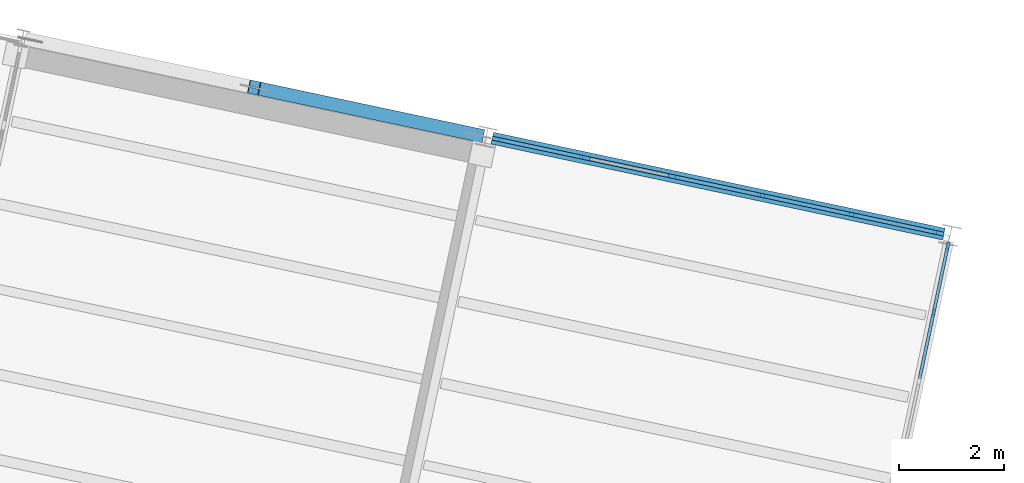
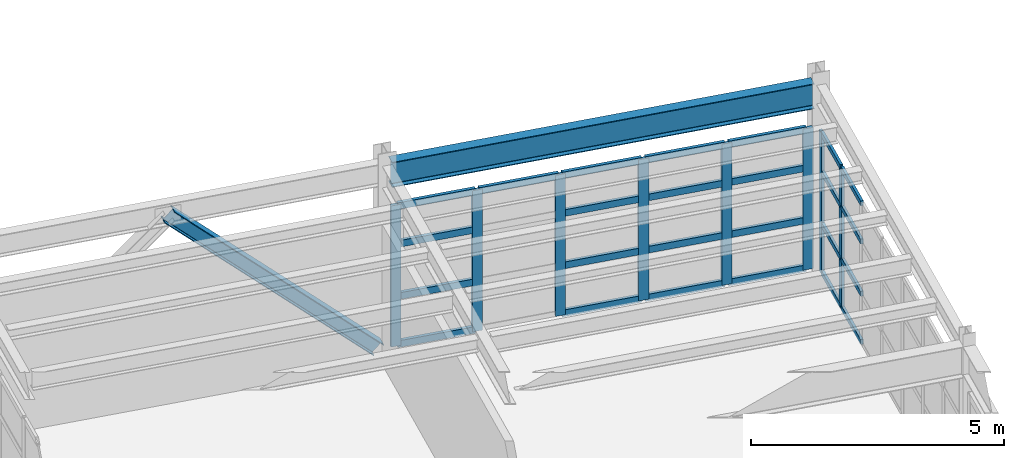
# One storey, part 57 of 109: 34 members, 1 beam, 2 elements without a shape of their own.
"""IFC4 building model written with IfcOpenShell, lengths in metres."""

from ifc_helpers import new_model, si_unit, direction, frame, origin, origin_2d, place, context, subcontext, project, spatial, rectangle, i_section, extrude, material, layer, layer_set, material_profile, profile_set, type_object, element, aggregate, save


model = new_model("IFC4")

# Units and contexts
model_context = context("Model", 3, precision=1e-05, world=origin(), true_north=direction((0.0, 1.0)))
body_context = subcontext(model_context, "Body", "Model", "MODEL_VIEW")
ifc_project = project(units=[si_unit("LENGTHUNIT", "METRE"), si_unit("AREAUNIT", "SQUARE_METRE"), si_unit("VOLUMEUNIT", "CUBIC_METRE"), si_unit("PLANEANGLEUNIT", "RADIAN"), si_unit("MASSUNIT", "GRAM", prefix="KILO")], contexts=[model_context])

# Site, building, storey
site_placement = place(None, origin())
site = spatial("IfcSite", under=ifc_project, at=site_placement, CompositionType="ELEMENT")
building_placement = place(site_placement, origin())
building = spatial("IfcBuilding", under=site, at=building_placement, Name="Vireo Bluff Cable Station", CompositionType="ELEMENT")
storey_placement = place(building_placement, frame((0.0, 0.0, 4.800048828125)))
storey = spatial("IfcBuildingStorey", under=building, at=storey_placement, Name="L01", CompositionType="ELEMENT", Elevation=4.800048828125)

# Member
ifc_material_1 = material(Name="Steel ASTM A992 Gr. 50", Category="steel")
ifc_material_profile_1 = material_profile(ifc_material_1, i_section(OverallWidth=0.25390625, OverallDepth=0.31005859375, WebThickness=0.009033203125, FlangeThickness=0.016357421875, FilletRadius=0.010986328125, at=origin_2d()), Name="W12X58")
ifc_profile_set_1 = profile_set([ifc_material_profile_1], Name="Steel ASTM A992 Gr. 50")
member_type_1 = type_object("IfcMemberType", Name="BRC-05", PredefinedType="BRACE", material=ifc_profile_set_1)
member_1_placement = place(storey_placement, frame((151.400390625, 24.875732421875, 0.0400390625), z_axis=(-0.707775608155, 0.150445056806, 0.690231825827), x_axis=(-0.207915270313, -0.978146839882, 0.0)))
element("IfcMember", 1, at=member_1_placement, inside=storey, type_object=member_type_1, Name="V5E L01 concentric brace 106R", PredefinedType="BRACE", context=body_context, shape_type="SweptSolid", body=[
    extrude(i_section(OverallWidth=0.25390625, OverallDepth=0.31005859375, WebThickness=0.009033203125, FlangeThickness=0.016357421875, FilletRadius=0.010986328125, at=origin_2d()), origin(), (0.0, 0.0, 1.0), 5.997802734375),
])

# Curtain wall, members
ifc_material_2 = material(Name="Anodized Aluminium 6063-T6", Category="aluminium")
ifc_layer_1 = layer(ifc_material_2, 0.179931640625, Name="Anodized Aluminium 6063-T6")
ifc_layer_set_1 = layer_set([ifc_layer_1], Name="Anodized Aluminium 6063-T6")
curtain_wall_type_1 = type_object("IfcCurtainWallType", Name="CW-UNIT-1650", PredefinedType="USERDEFINED", material=ifc_layer_set_1)
curtain_wall_1_placement = place(storey_placement, origin())
curtain_wall_1 = element("IfcCurtainWall", 2, at=curtain_wall_1_placement, inside=storey, type_object=curtain_wall_type_1, Name="V5E L01 north curtain wall CW-137", ObjectType="UNITISED CURTAIN WALL", PredefinedType="USERDEFINED")
ifc_material_profile_2 = material_profile(ifc_material_2, rectangle(XDim=0.074951171875, YDim=0.2099609375, at=origin_2d()), Name="ALU-M-75X210")
ifc_profile_set_2 = profile_set([ifc_material_profile_2], Name="Anodized Aluminium 6063-T6")
member_type_2 = type_object("IfcMemberType", Name="CWM-02", PredefinedType="MULLION", material=ifc_profile_set_2)
member_2_placement = place(storey_placement, frame((151.776611328125, 24.795654296875, 0.0), z_axis=(0.0, 0.0, 1.0), x_axis=(0.207911668454, 0.978147605487, 0.0)))
member_2 = element("IfcMember", 3, at=member_2_placement, type_object=member_type_2, Name="CW-137 mullion 1", PredefinedType="MULLION", context=body_context, shape_type="SweptSolid", body=[
    extrude(rectangle(XDim=0.074951171875, YDim=0.2099609375, at=origin_2d()), origin(), (0.0, 0.0, 1.0), 3.39990234375),
])
member_3_placement = place(storey_placement, frame((153.427490234375, 24.44482421875, 0.0), z_axis=(0.0, 0.0, 1.0), x_axis=(0.207911668454, 0.978147605487, 0.0)))
member_3 = element("IfcMember", 4, at=member_3_placement, type_object=member_type_2, Name="CW-137 mullion 2", PredefinedType="MULLION", context=body_context, shape_type="SweptSolid", body=[
    extrude(rectangle(XDim=0.074951171875, YDim=0.2099609375, at=origin_2d()), origin(), (0.0, 0.0, 1.0), 3.39990234375),
])
member_4_placement = place(storey_placement, frame((155.114990234375, 24.086181640625, 0.0), z_axis=(0.0, 0.0, 1.0), x_axis=(0.207911668454, 0.978147605487, 0.0)))
member_4 = element("IfcMember", 5, at=member_4_placement, type_object=member_type_2, Name="CW-137 mullion 3", PredefinedType="MULLION", context=body_context, shape_type="SweptSolid", body=[
    extrude(rectangle(XDim=0.074951171875, YDim=0.2099609375, at=origin_2d()), origin(), (0.0, 0.0, 1.0), 3.39990234375),
])
member_5_placement = place(storey_placement, frame((156.802490234375, 23.7275390625, 0.0), z_axis=(0.0, 0.0, 1.0), x_axis=(0.207911668454, 0.978147605487, 0.0)))
member_5 = element("IfcMember", 6, at=member_5_placement, type_object=member_type_2, Name="CW-137 mullion 4", PredefinedType="MULLION", context=body_context, shape_type="SweptSolid", body=[
    extrude(rectangle(XDim=0.074951171875, YDim=0.2099609375, at=origin_2d()), origin(), (0.0, 0.0, 1.0), 3.39990234375),
])
member_6_placement = place(storey_placement, frame((158.489990234375, 23.36865234375, 0.0), z_axis=(0.0, 0.0, 1.0), x_axis=(0.207911668454, 0.978147605487, 0.0)))
member_6 = element("IfcMember", 7, at=member_6_placement, type_object=member_type_2, Name="CW-137 mullion 5", PredefinedType="MULLION", context=body_context, shape_type="SweptSolid", body=[
    extrude(rectangle(XDim=0.074951171875, YDim=0.2099609375, at=origin_2d()), origin(), (0.0, 0.0, 1.0), 3.39990234375),
])
member_7_placement = place(storey_placement, frame((160.140625, 23.017822265625, 0.0), z_axis=(0.0, 0.0, 1.0), x_axis=(0.207911668454, 0.978147605487, 0.0)))
member_7 = element("IfcMember", 8, at=member_7_placement, type_object=member_type_2, Name="CW-137 mullion 6", PredefinedType="MULLION", context=body_context, shape_type="SweptSolid", body=[
    extrude(rectangle(XDim=0.074951171875, YDim=0.2099609375, at=origin_2d()), origin(), (0.0, 0.0, 1.0), 3.39990234375),
])

ifc_layer_2 = layer(ifc_material_2, 0.179931640625, Name="Anodized Aluminium 6063-T6")
ifc_layer_set_2 = layer_set([ifc_layer_2], Name="Anodized Aluminium 6063-T6")
curtain_wall_type_2 = type_object("IfcCurtainWallType", Name="CW-UNIT-1400", PredefinedType="USERDEFINED", material=ifc_layer_set_2)
curtain_wall_2_placement = place(storey_placement, origin())
curtain_wall_2 = element("IfcCurtainWall", 9, at=curtain_wall_2_placement, inside=storey, type_object=curtain_wall_type_2, Name="V5E L01 east curtain wall CW-138", ObjectType="UNITISED CURTAIN WALL", PredefinedType="USERDEFINED")
ifc_material_profile_3 = material_profile(ifc_material_2, rectangle(XDim=0.06005859375, YDim=0.159912109375, at=origin_2d()), Name="ALU-M-60X160")
ifc_profile_set_3 = profile_set([ifc_material_profile_3], Name="Anodized Aluminium 6063-T6")
member_type_3 = type_object("IfcMemberType", Name="CWM-03", PredefinedType="MULLION", material=ifc_profile_set_3)
member_8_placement = place(storey_placement, frame((160.316162109375, 22.763916015625, 0.0), z_axis=(0.0, 0.0, 1.0), x_axis=(0.978147602084, -0.207911684467, 0.0)))
member_8 = element("IfcMember", 10, at=member_8_placement, type_object=member_type_3, Name="CW-138 mullion 1", PredefinedType="MULLION", context=body_context, shape_type="SweptSolid", body=[
    extrude(rectangle(XDim=0.06005859375, YDim=0.159912109375, at=origin_2d()), origin(), (0.0, 0.0, 1.0), 3.39990234375),
])
member_9_placement = place(storey_placement, frame((160.0498046875, 21.509765625, 0.0), z_axis=(0.0, 0.0, 1.0), x_axis=(0.978147602084, -0.207911684467, 0.0)))
member_9 = element("IfcMember", 11, at=member_9_placement, type_object=member_type_3, Name="CW-138 mullion 2", PredefinedType="MULLION", context=body_context, shape_type="SweptSolid", body=[
    extrude(rectangle(XDim=0.06005859375, YDim=0.159912109375, at=origin_2d()), origin(), (0.0, 0.0, 1.0), 3.39990234375),
])

# Member
ifc_material_profile_4 = material_profile(ifc_material_2, rectangle(XDim=0.074951171875, YDim=0.159912109375, at=origin_2d()), Name="ALU-T-75X160")
ifc_profile_set_4 = profile_set([ifc_material_profile_4], Name="Anodized Aluminium 6063-T6")
member_type_4 = type_object("IfcMemberType", Name="CWT-02", PredefinedType="USERDEFINED", material=ifc_profile_set_4)
member_10_placement = place(storey_placement, frame((151.813232421875, 24.787841796875, 0.037353515625), z_axis=(0.978157696604, -0.20786418781, 0.0), x_axis=(0.20786418781, 0.978157696604, 0.0)))
member_10 = element("IfcMember", 12, at=member_10_placement, type_object=member_type_4, Name="CW-137 transom 1.1", ObjectType="TRANSOM", PredefinedType="USERDEFINED", context=body_context, shape_type="SweptSolid", body=[
    extrude(rectangle(XDim=0.074951171875, YDim=0.159912109375, at=origin_2d()), origin(), (0.0, 0.0, 1.0), 1.612548828125),
])

member_11_placement = place(storey_placement, frame((151.813232421875, 24.787841796875, 1.18994140625), z_axis=(0.978157696604, -0.20786418781, 0.0), x_axis=(0.20786418781, 0.978157696604, 0.0)))
member_11 = element("IfcMember", 13, at=member_11_placement, type_object=member_type_4, Name="CW-137 transom 1.2", ObjectType="TRANSOM", PredefinedType="USERDEFINED", context=body_context, shape_type="SweptSolid", body=[
    extrude(rectangle(XDim=0.074951171875, YDim=0.159912109375, at=origin_2d()), origin(), (0.0, 0.0, 1.0), 1.612548828125),
])

member_12_placement = place(storey_placement, frame((151.813232421875, 24.787841796875, 2.447998046875), z_axis=(0.978157696604, -0.20786418781, 0.0), x_axis=(0.20786418781, 0.978157696604, 0.0)))
member_12 = element("IfcMember", 14, at=member_12_placement, type_object=member_type_4, Name="CW-137 transom 1.3", ObjectType="TRANSOM", PredefinedType="USERDEFINED", context=body_context, shape_type="SweptSolid", body=[
    extrude(rectangle(XDim=0.074951171875, YDim=0.159912109375, at=origin_2d()), origin(), (0.0, 0.0, 1.0), 1.612548828125),
])

member_13_placement = place(storey_placement, frame((151.813232421875, 24.787841796875, 3.362548828125), z_axis=(0.978157696604, -0.20786418781, 0.0), x_axis=(0.20786418781, 0.978157696604, 0.0)))
member_13 = element("IfcMember", 15, at=member_13_placement, type_object=member_type_4, Name="CW-137 transom 1.4", ObjectType="TRANSOM", PredefinedType="USERDEFINED", context=body_context, shape_type="SweptSolid", body=[
    extrude(rectangle(XDim=0.074951171875, YDim=0.159912109375, at=origin_2d()), origin(), (0.0, 0.0, 1.0), 1.612548828125),
])

member_14_placement = place(storey_placement, frame((153.464111328125, 24.43701171875, 3.362548828125), z_axis=(0.978153962198, -0.207881760231, 0.0), x_axis=(0.207881760231, 0.978153962198, 0.0)))
member_14 = element("IfcMember", 16, at=member_14_placement, type_object=member_type_4, Name="CW-137 transom 2.4", ObjectType="TRANSOM", PredefinedType="USERDEFINED", context=body_context, shape_type="SweptSolid", body=[
    extrude(rectangle(XDim=0.074951171875, YDim=0.159912109375, at=origin_2d()), origin(), (0.0, 0.0, 1.0), 1.650146484375),
])

member_15_placement = place(storey_placement, frame((155.151611328125, 24.078369140625, 0.037353515625), z_axis=(0.978153962198, -0.207881760231, 0.0), x_axis=(0.207881760231, 0.978153962198, 0.0)))
member_15 = element("IfcMember", 17, at=member_15_placement, type_object=member_type_4, Name="CW-137 transom 3.1", ObjectType="TRANSOM", PredefinedType="USERDEFINED", context=body_context, shape_type="SweptSolid", body=[
    extrude(rectangle(XDim=0.074951171875, YDim=0.159912109375, at=origin_2d()), origin(), (0.0, 0.0, 1.0), 1.650146484375),
])

member_16_placement = place(storey_placement, frame((155.151611328125, 24.078369140625, 1.18994140625), z_axis=(0.978153962198, -0.207881760231, 0.0), x_axis=(0.207881760231, 0.978153962198, 0.0)))
member_16 = element("IfcMember", 18, at=member_16_placement, type_object=member_type_4, Name="CW-137 transom 3.2", ObjectType="TRANSOM", PredefinedType="USERDEFINED", context=body_context, shape_type="SweptSolid", body=[
    extrude(rectangle(XDim=0.074951171875, YDim=0.159912109375, at=origin_2d()), origin(), (0.0, 0.0, 1.0), 1.650146484375),
])

member_17_placement = place(storey_placement, frame((155.151611328125, 24.078369140625, 2.447998046875), z_axis=(0.978153962198, -0.207881760231, 0.0), x_axis=(0.207881760231, 0.978153962198, 0.0)))
member_17 = element("IfcMember", 19, at=member_17_placement, type_object=member_type_4, Name="CW-137 transom 3.3", ObjectType="TRANSOM", PredefinedType="USERDEFINED", context=body_context, shape_type="SweptSolid", body=[
    extrude(rectangle(XDim=0.074951171875, YDim=0.159912109375, at=origin_2d()), origin(), (0.0, 0.0, 1.0), 1.650146484375),
])

member_18_placement = place(storey_placement, frame((155.151611328125, 24.078369140625, 3.362548828125), z_axis=(0.978153962198, -0.207881760231, 0.0), x_axis=(0.207881760231, 0.978153962198, 0.0)))
member_18 = element("IfcMember", 20, at=member_18_placement, type_object=member_type_4, Name="CW-137 transom 3.4", ObjectType="TRANSOM", PredefinedType="USERDEFINED", context=body_context, shape_type="SweptSolid", body=[
    extrude(rectangle(XDim=0.074951171875, YDim=0.159912109375, at=origin_2d()), origin(), (0.0, 0.0, 1.0), 1.650146484375),
])

member_19_placement = place(storey_placement, frame((156.839111328125, 23.7197265625, 0.037353515625), z_axis=(0.978123866934, -0.208023318244, 0.0), x_axis=(0.208023318244, 0.978123866934, 0.0)))
member_19 = element("IfcMember", 21, at=member_19_placement, type_object=member_type_4, Name="CW-137 transom 4.1", ObjectType="TRANSOM", PredefinedType="USERDEFINED", context=body_context, shape_type="SweptSolid", body=[
    extrude(rectangle(XDim=0.074951171875, YDim=0.159912109375, at=origin_2d()), origin(), (0.0, 0.0, 1.0), 1.650146484375),
])

member_20_placement = place(storey_placement, frame((156.839111328125, 23.7197265625, 1.18994140625), z_axis=(0.978123866934, -0.208023318244, 0.0), x_axis=(0.208023318244, 0.978123866934, 0.0)))
member_20 = element("IfcMember", 22, at=member_20_placement, type_object=member_type_4, Name="CW-137 transom 4.2", ObjectType="TRANSOM", PredefinedType="USERDEFINED", context=body_context, shape_type="SweptSolid", body=[
    extrude(rectangle(XDim=0.074951171875, YDim=0.159912109375, at=origin_2d()), origin(), (0.0, 0.0, 1.0), 1.650146484375),
])

member_21_placement = place(storey_placement, frame((156.839111328125, 23.7197265625, 2.447998046875), z_axis=(0.978123866934, -0.208023318244, 0.0), x_axis=(0.208023318244, 0.978123866934, 0.0)))
member_21 = element("IfcMember", 23, at=member_21_placement, type_object=member_type_4, Name="CW-137 transom 4.3", ObjectType="TRANSOM", PredefinedType="USERDEFINED", context=body_context, shape_type="SweptSolid", body=[
    extrude(rectangle(XDim=0.074951171875, YDim=0.159912109375, at=origin_2d()), origin(), (0.0, 0.0, 1.0), 1.650146484375),
])

member_22_placement = place(storey_placement, frame((156.839111328125, 23.7197265625, 3.362548828125), z_axis=(0.978123866934, -0.208023318244, 0.0), x_axis=(0.208023318244, 0.978123866934, 0.0)))
member_22 = element("IfcMember", 24, at=member_22_placement, type_object=member_type_4, Name="CW-137 transom 4.4", ObjectType="TRANSOM", PredefinedType="USERDEFINED", context=body_context, shape_type="SweptSolid", body=[
    extrude(rectangle(XDim=0.074951171875, YDim=0.159912109375, at=origin_2d()), origin(), (0.0, 0.0, 1.0), 1.650146484375),
])

member_23_placement = place(storey_placement, frame((158.526611328125, 23.36083984375, 0.037353515625), z_axis=(0.978157696604, -0.20786418781, 0.0), x_axis=(0.20786418781, 0.978157696604, 0.0)))
member_23 = element("IfcMember", 25, at=member_23_placement, type_object=member_type_4, Name="CW-137 transom 5.1", ObjectType="TRANSOM", PredefinedType="USERDEFINED", context=body_context, shape_type="SweptSolid", body=[
    extrude(rectangle(XDim=0.074951171875, YDim=0.159912109375, at=origin_2d()), origin(), (0.0, 0.0, 1.0), 1.612548828125),
])

member_24_placement = place(storey_placement, frame((158.526611328125, 23.36083984375, 1.18994140625), z_axis=(0.978157696604, -0.20786418781, 0.0), x_axis=(0.20786418781, 0.978157696604, 0.0)))
member_24 = element("IfcMember", 26, at=member_24_placement, type_object=member_type_4, Name="CW-137 transom 5.2", ObjectType="TRANSOM", PredefinedType="USERDEFINED", context=body_context, shape_type="SweptSolid", body=[
    extrude(rectangle(XDim=0.074951171875, YDim=0.159912109375, at=origin_2d()), origin(), (0.0, 0.0, 1.0), 1.612548828125),
])

member_25_placement = place(storey_placement, frame((158.526611328125, 23.36083984375, 2.447998046875), z_axis=(0.978157696604, -0.20786418781, 0.0), x_axis=(0.20786418781, 0.978157696604, 0.0)))
member_25 = element("IfcMember", 27, at=member_25_placement, type_object=member_type_4, Name="CW-137 transom 5.3", ObjectType="TRANSOM", PredefinedType="USERDEFINED", context=body_context, shape_type="SweptSolid", body=[
    extrude(rectangle(XDim=0.074951171875, YDim=0.159912109375, at=origin_2d()), origin(), (0.0, 0.0, 1.0), 1.612548828125),
])

member_26_placement = place(storey_placement, frame((158.526611328125, 23.36083984375, 3.362548828125), z_axis=(0.978157696604, -0.20786418781, 0.0), x_axis=(0.20786418781, 0.978157696604, 0.0)))
member_26 = element("IfcMember", 28, at=member_26_placement, type_object=member_type_4, Name="CW-137 transom 5.4", ObjectType="TRANSOM", PredefinedType="USERDEFINED", context=body_context, shape_type="SweptSolid", body=[
    extrude(rectangle(XDim=0.074951171875, YDim=0.159912109375, at=origin_2d()), origin(), (0.0, 0.0, 1.0), 1.612548828125),
])

aggregate(curtain_wall_1, [member_2, member_3, member_4, member_5, member_6, member_7, member_10, member_11, member_12, member_13, member_14, member_15, member_16, member_17, member_18, member_19, member_20, member_21, member_22, member_23, member_24, member_25, member_26])

ifc_material_profile_5 = material_profile(ifc_material_2, rectangle(XDim=0.06005859375, YDim=0.1201171875, at=origin_2d()), Name="ALU-T-60X120")
ifc_profile_set_5 = profile_set([ifc_material_profile_5], Name="Anodized Aluminium 6063-T6")
member_type_5 = type_object("IfcMemberType", Name="CWT-03", PredefinedType="USERDEFINED", material=ifc_profile_set_5)
member_27_placement = place(storey_placement, frame((160.31005859375, 22.734375, 0.030029296875), z_axis=(-0.207973444822, -0.978134472477, 0.0), x_axis=(0.978134472477, -0.207973444822, 0.0)))
member_27 = element("IfcMember", 29, at=member_27_placement, type_object=member_type_5, Name="CW-138 transom 1.1", ObjectType="TRANSOM", PredefinedType="USERDEFINED", context=body_context, shape_type="SweptSolid", body=[
    extrude(rectangle(XDim=0.06005859375, YDim=0.1201171875, at=origin_2d()), origin(), (0.0, 0.0, 1.0), 1.221923828125),
])

member_28_placement = place(storey_placement, frame((160.31005859375, 22.734375, 1.18994140625), z_axis=(-0.207973444822, -0.978134472477, 0.0), x_axis=(0.978134472477, -0.207973444822, 0.0)))
member_28 = element("IfcMember", 30, at=member_28_placement, type_object=member_type_5, Name="CW-138 transom 1.2", ObjectType="TRANSOM", PredefinedType="USERDEFINED", context=body_context, shape_type="SweptSolid", body=[
    extrude(rectangle(XDim=0.06005859375, YDim=0.1201171875, at=origin_2d()), origin(), (0.0, 0.0, 1.0), 1.221923828125),
])

member_29_placement = place(storey_placement, frame((160.31005859375, 22.734375, 2.447998046875), z_axis=(-0.207973444822, -0.978134472477, 0.0), x_axis=(0.978134472477, -0.207973444822, 0.0)))
member_29 = element("IfcMember", 31, at=member_29_placement, type_object=member_type_5, Name="CW-138 transom 1.3", ObjectType="TRANSOM", PredefinedType="USERDEFINED", context=body_context, shape_type="SweptSolid", body=[
    extrude(rectangle(XDim=0.06005859375, YDim=0.1201171875, at=origin_2d()), origin(), (0.0, 0.0, 1.0), 1.221923828125),
])

member_30_placement = place(storey_placement, frame((160.31005859375, 22.734375, 3.369873046875), z_axis=(-0.207973444822, -0.978134472477, 0.0), x_axis=(0.978134472477, -0.207973444822, 0.0)))
member_30 = element("IfcMember", 32, at=member_30_placement, type_object=member_type_5, Name="CW-138 transom 1.4", ObjectType="TRANSOM", PredefinedType="USERDEFINED", context=body_context, shape_type="SweptSolid", body=[
    extrude(rectangle(XDim=0.06005859375, YDim=0.1201171875, at=origin_2d()), origin(), (0.0, 0.0, 1.0), 1.221923828125),
])

member_31_placement = place(storey_placement, frame((160.04345703125, 21.48046875, 0.030029296875), z_axis=(-0.207877413945, -0.97815488588, 0.0), x_axis=(0.97815488588, -0.207877413945, 0.0)))
member_31 = element("IfcMember", 33, at=member_31_placement, type_object=member_type_5, Name="CW-138 transom 2.1", ObjectType="TRANSOM", PredefinedType="USERDEFINED", context=body_context, shape_type="SweptSolid", body=[
    extrude(rectangle(XDim=0.06005859375, YDim=0.1201171875, at=origin_2d()), origin(), (0.0, 0.0, 1.0), 1.251953125),
])

member_32_placement = place(storey_placement, frame((160.04345703125, 21.48046875, 1.18994140625), z_axis=(-0.207877413945, -0.97815488588, 0.0), x_axis=(0.97815488588, -0.207877413945, 0.0)))
member_32 = element("IfcMember", 34, at=member_32_placement, type_object=member_type_5, Name="CW-138 transom 2.2", ObjectType="TRANSOM", PredefinedType="USERDEFINED", context=body_context, shape_type="SweptSolid", body=[
    extrude(rectangle(XDim=0.06005859375, YDim=0.1201171875, at=origin_2d()), origin(), (0.0, 0.0, 1.0), 1.251953125),
])

member_33_placement = place(storey_placement, frame((160.04345703125, 21.48046875, 2.447998046875), z_axis=(-0.207877413945, -0.97815488588, 0.0), x_axis=(0.97815488588, -0.207877413945, 0.0)))
member_33 = element("IfcMember", 35, at=member_33_placement, type_object=member_type_5, Name="CW-138 transom 2.3", ObjectType="TRANSOM", PredefinedType="USERDEFINED", context=body_context, shape_type="SweptSolid", body=[
    extrude(rectangle(XDim=0.06005859375, YDim=0.1201171875, at=origin_2d()), origin(), (0.0, 0.0, 1.0), 1.251953125),
])

member_34_placement = place(storey_placement, frame((160.04345703125, 21.48046875, 3.369873046875), z_axis=(-0.207877413945, -0.97815488588, 0.0), x_axis=(0.97815488588, -0.207877413945, 0.0)))
member_34 = element("IfcMember", 36, at=member_34_placement, type_object=member_type_5, Name="CW-138 transom 2.4", ObjectType="TRANSOM", PredefinedType="USERDEFINED", context=body_context, shape_type="SweptSolid", body=[
    extrude(rectangle(XDim=0.06005859375, YDim=0.1201171875, at=origin_2d()), origin(), (0.0, 0.0, 1.0), 1.251953125),
])

aggregate(curtain_wall_2, [member_8, member_9, member_27, member_28, member_29, member_30, member_31, member_32, member_33, member_34])

# Beam
ifc_material_profile_6 = material_profile(ifc_material_1, i_section(OverallWidth=0.22802734375, OverallDepth=0.60693359375, WebThickness=0.01123046875, FlangeThickness=0.017333984375, FilletRadius=0.012939453125, at=origin_2d()), Name="W24X76")
ifc_profile_set_6 = profile_set([ifc_material_profile_6], Name="Steel ASTM A992 Gr. 50")
beam_type = type_object("IfcBeamType", Name="SPN-W24X76", PredefinedType="SPANDREL", material=ifc_profile_set_6)
beam_placement = place(storey_placement, frame((151.67431640625, 24.8173828125, 4.196533203125), z_axis=(0.978148154167, -0.207909087104, 0.0), x_axis=(0.207909087104, 0.978148154167, 0.0)))
element("IfcBeam", 37, at=beam_placement, inside=storey, type_object=beam_type, Name="V5E L01 spandrel 1338", PredefinedType="SPANDREL", context=body_context, shape_type="SweptSolid", body=[
    extrude(i_section(OverallWidth=0.22802734375, OverallDepth=0.60693359375, WebThickness=0.01123046875, FlangeThickness=0.017333984375, FilletRadius=0.012939453125, at=origin_2d()), origin(), (0.0, 0.0, 1.0), 8.760009765625),
])

save(model, "model.ifc")
